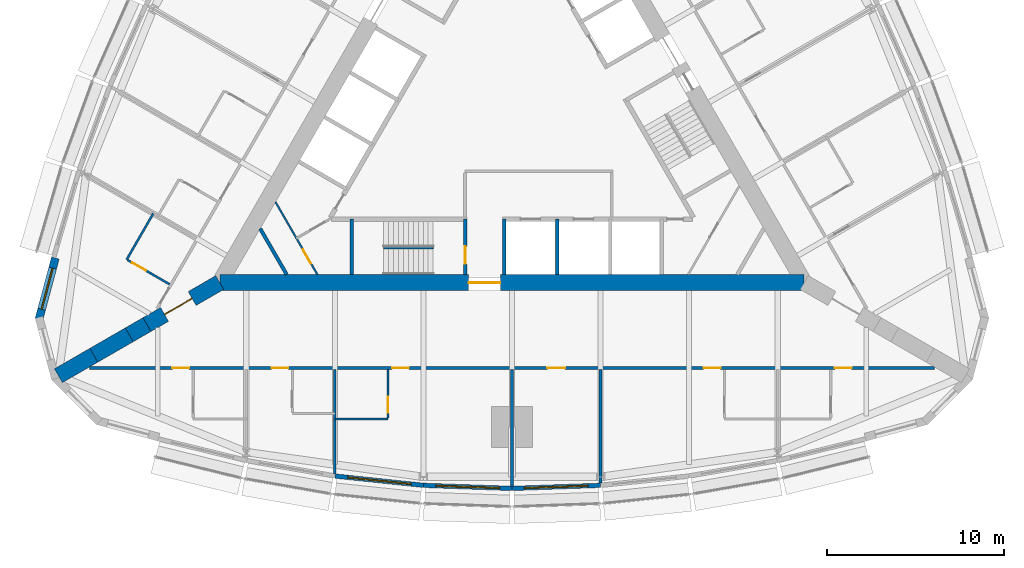
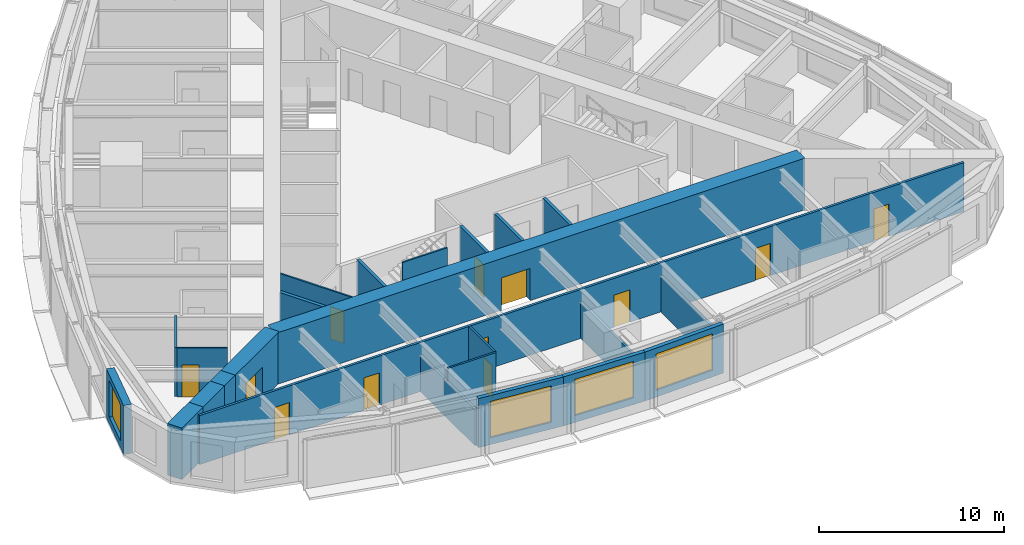
# One storey, part 8 of 14: 24 walls, 12 doors, 4 windows, 16 openings.
"""IFC4 building model written with IfcOpenShell, lengths in metres."""

import ifcopenshell
import ifcopenshell.guid

model = None  # the IFC model being written
_history = None  # IfcOwnerHistory: only IFC2X3 demands one
_inside = {}  # id of a spatial element -> (the spatial element, [elements in it])
_under = {}  # id of a project, library or spatial element -> (it, [spatial elements below it])
_declared = {}  # id of a project -> (the project, [libraries it declares])
_typed = {}  # id of a type object -> (the type object, [elements of that type])
_made_of = {}  # id of a material, layer set ... -> (it, [elements and type objects made of it])


def new_model(schema):
    """Start an empty IFC model of exactly this schema.

    Asked for "IFC4X3", IfcOpenShell would pick the latest addendum, in which some entities
    have other attributes; the version numbers below select the first issue.
    IFC2X3 requires an IfcOwnerHistory on every rooted entity: one is made here for all.
    """
    global model, _history
    if schema == "IFC4X3":
        model = ifcopenshell.file(schema_version=(4, 3, 0, 0))
    else:
        model = ifcopenshell.file(schema=schema)
    _inside.clear()
    _under.clear()
    _declared.clear()
    _typed.clear()
    _made_of.clear()
    _history = None
    if model.schema == "IFC2X3":
        org = make("IfcOrganization", Name="unknown")
        user = make(
            "IfcPersonAndOrganization",
            ThePerson=make("IfcPerson", FamilyName="unknown"),
            TheOrganization=org,
        )
        app = make(
            "IfcApplication",
            ApplicationDeveloper=org,
            Version="unknown",
            ApplicationFullName="unknown",
            ApplicationIdentifier="unknown",
        )
        _history = make(
            "IfcOwnerHistory",
            OwningUser=user,
            OwningApplication=app,
            ChangeAction="ADDED",
            CreationDate=0,
        )
    return model


def make(cls, **values):
    """One entity of the class cls with the attributes given. An attribute that is None is left unset."""
    return model.create_entity(
        cls, **{name: value for name, value in values.items() if value is not None}
    )


def rooted(cls, **values):
    """An entity with a GlobalId (a new one), such as an element, a storey or a relation."""
    return make(cls, GlobalId=ifcopenshell.guid.new(), OwnerHistory=_history, **values)


def si_unit(unit_type, name, prefix=None):
    """IfcSIUnit, for example si_unit("LENGTHUNIT", "METRE", prefix="MILLI")."""
    return make("IfcSIUnit", UnitType=unit_type, Prefix=prefix, Name=name)


def assignment(units):
    """IfcUnitAssignment: the units of a project."""
    return None if units is None else make("IfcUnitAssignment", Units=units)


def point(xyz):
    """IfcCartesianPoint."""
    return None if xyz is None else make("IfcCartesianPoint", Coordinates=xyz)


def direction(xyz):
    """IfcDirection."""
    return None if xyz is None else make("IfcDirection", DirectionRatios=xyz)


def frame(location, z_axis=None, x_axis=None):
    """IfcAxis2Placement3D, a coordinate frame: its origin and axes. An axis left out is left unset."""
    return make(
        "IfcAxis2Placement3D",
        Location=point(location),
        Axis=direction(z_axis),
        RefDirection=direction(x_axis),
    )


def frame_2d(location, x_axis=None):
    """IfcAxis2Placement2D, a coordinate frame in the plane: its origin and x axis."""
    return make(
        "IfcAxis2Placement2D", Location=point(location), RefDirection=direction(x_axis)
    )


def origin():
    """The frame at (0, 0, 0) with its axes left unset."""
    return frame((0.0, 0.0, 0.0))


def place(relative_to, where):
    """IfcLocalPlacement: puts the frame where relative to a parent placement (None: the world)."""
    return make(
        "IfcLocalPlacement", PlacementRelTo=relative_to, RelativePlacement=where
    )


def context(
    kind, dimensions, precision=None, world=None, true_north=None, identifier=None
):
    """IfcGeometricRepresentationContext, for example the 3D "Model" context."""
    return make(
        "IfcGeometricRepresentationContext",
        ContextIdentifier=identifier,
        ContextType=kind,
        CoordinateSpaceDimension=dimensions,
        Precision=precision,
        WorldCoordinateSystem=world,
        TrueNorth=true_north,
    )


def subcontext(parent, identifier, kind, view, scale=None):
    """IfcGeometricRepresentationSubContext, for example "Body" below "Model"."""
    return make(
        "IfcGeometricRepresentationSubContext",
        ContextIdentifier=identifier,
        ContextType=kind,
        ParentContext=parent,
        TargetScale=scale,
        TargetView=view,
    )


def project(units=None, contexts=None):
    """IfcProject with its units and contexts."""
    return rooted(
        "IfcProject",
        Name="project",
        RepresentationContexts=contexts,
        UnitsInContext=assignment(units),
    )


def spatial(cls, under=None, at=None, **own):
    """A site, building, storey or space (cls), placed at a placement, below another one or the project."""
    s = rooted(cls, ObjectPlacement=at, **own)
    if under is not None:
        _under.setdefault(under.id(), (under, []))[1].append(s)
    return s


def profile(cls, at=None, kind="AREA", **sizes):
    """A parametric profile (cls). Its sizes go by their IFC names, for example OverallWidth=200.0."""
    return make(cls, ProfileType=kind, Position=at, **sizes)


def rectangle(**sizes):
    """IfcRectangleProfileDef."""
    return profile("IfcRectangleProfileDef", **sizes)


def extrude(swept, where, along, depth):
    """IfcExtrudedAreaSolid: the profile swept, set in the frame where, extruded along a direction by depth."""
    return make(
        "IfcExtrudedAreaSolid",
        SweptArea=swept,
        Position=where,
        ExtrudedDirection=direction(along),
        Depth=depth,
    )


def shape(context_of_items, identifier, shape_type, items):
    """IfcShapeRepresentation: the items that make up one representation, for example the "Body"."""
    return make(
        "IfcShapeRepresentation",
        ContextOfItems=context_of_items,
        RepresentationIdentifier=identifier,
        RepresentationType=shape_type,
        Items=items,
    )


def material(Name=None, Category=None):
    """IfcMaterial."""
    return make("IfcMaterial", Name=Name, Category=Category)


def layer(
    of_material, thickness, ventilated=None, Name=None, Category=None, Priority=None
):
    """IfcMaterialLayer: one layer of a wall or slab, of a material (None: an air gap)."""
    return make(
        "IfcMaterialLayer",
        Material=of_material,
        LayerThickness=thickness,
        IsVentilated=ventilated,
        Name=Name,
        Category=Category,
        Priority=Priority,
    )


def layer_set(layers, Name=None):
    """IfcMaterialLayerSet."""
    return make("IfcMaterialLayerSet", MaterialLayers=layers, LayerSetName=Name)


def made_of(thing, what):
    """Note that an element or type object is made of a material, layer set ...; save() writes the relation."""
    if what is not None:
        _made_of.setdefault(what.id(), (what, []))[1].append(thing)
    return thing


def type_object(cls, material=None, **own):
    """A type object (cls), such as IfcWallType, which elements share."""
    return made_of(rooted(cls, **own), material)


def element(
    cls,
    number,
    at=None,
    inside=None,
    cuts=None,
    type_object=None,
    material=None,
    context=None,
    identifier="Body",
    shape_type=None,
    held_by="IfcProductDefinitionShape",
    body=None,
    shapes=None,
    **own,
):
    """One element of the class cls, such as IfcWall. Its Tag is "e" and its number.

    at: its placement. inside: the storey or other place that contains it. cuts: it is an
    opening in that element (IfcRelVoidsElement). A single representation is given by context,
    identifier, shape_type and body (its items); several are given by shapes. held_by: the class
    of the entity that holds the representations. save() writes the other relations.
    """
    e = rooted(cls, Tag="e%d" % number, ObjectPlacement=at, **own)
    if body is not None:
        shapes = [shape(context, identifier, shape_type, body)]
    if shapes is not None:
        e.Representation = make(held_by, Representations=shapes)
    if inside is not None:
        _inside.setdefault(inside.id(), (inside, []))[1].append(e)
    if cuts is not None:
        rooted(
            "IfcRelVoidsElement", RelatingBuildingElement=cuts, RelatedOpeningElement=e
        )
    if type_object is not None:
        _typed.setdefault(type_object.id(), (type_object, []))[1].append(e)
    return made_of(e, material)


def fill(opening, filler):
    """IfcRelFillsElement: the door or window that sits in an opening."""
    return rooted(
        "IfcRelFillsElement",
        RelatingOpeningElement=opening,
        RelatedBuildingElement=filler,
    )


def aggregate(whole, parts):
    """IfcRelAggregates: a whole, such as a stair, and the parts it consists of."""
    return rooted("IfcRelAggregates", RelatingObject=whole, RelatedObjects=parts)


def save(model, path):
    """Write the relations noted so far, then the file.

    IfcRelAggregates (storeys below a building ...), IfcRelContainedInSpatialStructure (elements
    in a storey), IfcRelDefinesByType, IfcRelAssociatesMaterial and IfcRelDeclares: one each for
    every whole, place, type object, material and project.
    """
    for whole, parts in _under.values():
        aggregate(whole, parts)
    for where, things in _inside.values():
        rooted(
            "IfcRelContainedInSpatialStructure",
            RelatedElements=things,
            RelatingStructure=where,
        )
    for kind, things in _typed.values():
        rooted("IfcRelDefinesByType", RelatedObjects=things, RelatingType=kind)
    for what, things in _made_of.values():
        rooted("IfcRelAssociatesMaterial", RelatedObjects=things, RelatingMaterial=what)
    for by, libraries in _declared.values():
        rooted("IfcRelDeclares", RelatingContext=by, RelatedDefinitions=libraries)
    model.write(path)


model = new_model("IFC4")

# Units and contexts
model_context = context("Model", 3, precision=1e-05, world=origin(), true_north=direction((0.0, 1.0)))
body_context = subcontext(model_context, "Body", "Model", "MODEL_VIEW")
ifc_project = project(units=[si_unit("LENGTHUNIT", "METRE"), si_unit("AREAUNIT", "SQUARE_METRE"), si_unit("VOLUMEUNIT", "CUBIC_METRE"), si_unit("PLANEANGLEUNIT", "RADIAN"), si_unit("MASSUNIT", "GRAM", prefix="KILO")], contexts=[model_context])

# Site, building, storey
site_placement = place(None, origin())
site = spatial("IfcSite", under=ifc_project, at=site_placement, CompositionType="ELEMENT")
building_placement = place(site_placement, origin())
building = spatial("IfcBuilding", under=site, at=building_placement, Name="Trikona Tower", CompositionType="ELEMENT")
storey_placement = place(building_placement, frame((0.0, 0.0, 179.300048828125)))
storey = spatial("IfcBuildingStorey", under=building, at=storey_placement, Name="L48", CompositionType="ELEMENT", Elevation=179.300048828125)

# Wall
ifc_material_1 = material(Name="Metal stud and cement board", Category="gypsum")
ifc_layer_1 = layer(ifc_material_1, 0.1201171875)
ifc_layer_set_1 = layer_set([ifc_layer_1], Name="Bathroom wall 120")
wall_type_1 = type_object("IfcWallType", Name="Bathroom wall 120", PredefinedType="PLUMBINGWALL", material=ifc_layer_set_1)
wall_1_placement = place(storey_placement, frame((-10.0, -17.226318359375, 0.0), z_axis=(0.0, 0.0, 1.0), x_axis=(1.0, 0.0, 0.0)))
element("IfcWall", 1, at=wall_1_placement, inside=storey, type_object=wall_type_1, Name="Bathroom wall 4803", PredefinedType="PLUMBINGWALL", context=body_context, shape_type="SweptSolid", body=[
    extrude(rectangle(XDim=3.0, YDim=0.1201171875, at=frame_2d((1.5, 0.0))), origin(), (0.0, 0.0, 1.0), 3.23486328125),
])

# Wall, opening, door
wall_2_placement = place(storey_placement, frame((-7.0, -14.42626953125, 0.0), z_axis=(0.0, 0.0, 1.0), x_axis=(0.0, -1.0, 0.0)))
wall_2 = element("IfcWall", 2, at=wall_2_placement, inside=storey, type_object=wall_type_1, Name="Bathroom wall 4803", PredefinedType="PLUMBINGWALL", context=body_context, shape_type="SweptSolid", body=[
    extrude(rectangle(XDim=2.739990234375, YDim=0.1201171875, at=frame_2d((1.3701171875, 0.0))), origin(), (0.0, 0.0, 1.0), 3.23486328125),
])
opening_1_placement = place(wall_2_placement, frame((1.550048828125, 0.0, 0.0)))
opening_1 = element("IfcOpeningElement", 3, at=opening_1_placement, cuts=wall_2, Name="Opening D2", PredefinedType="OPENING", context=body_context, shape_type="SweptSolid", body=[
    extrude(rectangle(XDim=0.89990234375, YDim=2.1298828125, at=frame_2d((0.449951171875, 1.06494140625))), frame((0.0, 0.070068359375, 0.0), z_axis=(0.0, -1.0, 0.0), x_axis=(1.0, 0.0, 0.0)), (0.0, 0.0, 1.0), 0.14013671875),
])
ifc_material_2 = material(Name="Steel door frame with solid-core timber leaf", Category="steel")
door_type_1 = type_object("IfcDoorType", Name="Bathroom door 900x2130", OperationType="SLIDING_TO_LEFT", PredefinedType="DOOR", material=ifc_material_2)
door_1_placement = place(opening_1_placement, origin())
door_1 = element("IfcDoor", 4, at=door_1_placement, inside=storey, type_object=door_type_1, Name="Bathroom door 4803", OperationType="SLIDING_TO_LEFT", OverallHeight=2.1298828125, OverallWidth=0.89990234375, PredefinedType="DOOR", context=body_context, shape_type="SweptSolid", body=[
    extrude(rectangle(XDim=0.89990234375, YDim=2.1298828125, at=frame_2d((0.449951171875, 1.06494140625))), frame((0.0, 0.02490234375, 0.0), z_axis=(0.0, -1.0, 0.0), x_axis=(1.0, 0.0, 0.0)), (0.0, 0.0, 1.0), 0.050048828125),
])
fill(opening_1, door_1)

# Wall
wall_3_placement = place(storey_placement, frame((-20.25341796875, -5.627197265625, 0.0), z_axis=(0.0, 0.0, 1.0), x_axis=(-0.499990139034, -0.866031096941, 0.0)))
element("IfcWall", 5, at=wall_3_placement, inside=storey, type_object=wall_type_1, Name="Bathroom wall 4815", PredefinedType="PLUMBINGWALL", context=body_context, shape_type="SweptSolid", body=[
    extrude(rectangle(XDim=3.0, YDim=0.1201171875, at=frame_2d((1.5, 0.0))), origin(), (0.0, 0.0, 1.0), 3.23486328125),
])

# Wall, opening, door
wall_4_placement = place(storey_placement, frame((-19.32861328125, -9.625244140625, 0.0), z_axis=(0.0, 0.0, 1.0), x_axis=(-0.866035715982, 0.499982138324, 0.0)))
wall_4 = element("IfcWall", 6, at=wall_4_placement, inside=storey, type_object=wall_type_1, Name="Bathroom wall 4815", PredefinedType="PLUMBINGWALL", context=body_context, shape_type="SweptSolid", body=[
    extrude(rectangle(XDim=2.73974609375, YDim=0.1201171875, at=frame_2d((1.369873046875, 0.0))), origin(), (0.0, 0.0, 1.0), 3.23486328125),
])
opening_2_placement = place(wall_4_placement, frame((1.550048828125, 0.0, 0.0)))
opening_2 = element("IfcOpeningElement", 7, at=opening_2_placement, cuts=wall_4, Name="Opening D2", PredefinedType="OPENING", context=body_context, shape_type="SweptSolid", body=[
    extrude(rectangle(XDim=0.89990234375, YDim=2.1298828125, at=frame_2d((0.449951171875, 1.06494140625))), frame((0.0, 0.070068359375, 0.0), z_axis=(0.0, -1.0, 0.0), x_axis=(1.0, 0.0, 0.0)), (0.0, 0.0, 1.0), 0.14013671875),
])
door_2_placement = place(opening_2_placement, origin())
door_2 = element("IfcDoor", 8, at=door_2_placement, inside=storey, type_object=door_type_1, Name="Bathroom door 4815", OperationType="SLIDING_TO_LEFT", OverallHeight=2.1298828125, OverallWidth=0.89990234375, PredefinedType="DOOR", context=body_context, shape_type="SweptSolid", body=[
    extrude(rectangle(XDim=0.89990234375, YDim=2.1298828125, at=frame_2d((0.449951171875, 1.06494140625))), frame((0.0, 0.02490234375, 0.0), z_axis=(0.0, -1.0, 0.0), x_axis=(1.0, 0.0, 0.0)), (0.0, 0.0, 1.0), 0.050048828125),
])
fill(opening_2, door_2)

# Wall, opening, window
ifc_material_3 = material(Name="Brick-faced precast concrete", Category="masonry")
ifc_layer_2 = layer(ifc_material_3, 0.449951171875)
ifc_layer_set_2 = layer_set([ifc_layer_2], Name="Brick-faced corner wall 450")
wall_type_2 = type_object("IfcWallType", Name="Brick-faced corner wall 450", PredefinedType="SOLIDWALL", material=ifc_layer_set_2)
wall_5_placement = place(storey_placement, frame((-25.78271484375, -8.14111328125, 0.0), z_axis=(0.0, 0.0, 1.0), x_axis=(-0.258823421857, -0.965924653531, 0.0)))
wall_5 = element("IfcWall", 9, at=wall_5_placement, inside=storey, type_object=wall_type_2, Name="External wall L48-32", PredefinedType="SOLIDWALL", context=body_context, shape_type="SweptSolid", body=[
    extrude(rectangle(XDim=3.58642578125, YDim=0.449951171875, at=frame_2d((1.793212890625, 0.0))), origin(), (0.0, 0.0, 1.0), 3.23486328125),
])
opening_3_placement = place(wall_5_placement, frame((0.593017578125, 0.0, 0.449951171875)))
opening_3 = element("IfcOpeningElement", 10, at=opening_3_placement, cuts=wall_5, Name="Opening W2424", PredefinedType="OPENING", context=body_context, shape_type="SweptSolid", body=[
    extrude(rectangle(XDim=2.39990234375, YDim=2.39990234375, at=frame_2d((1.199951171875, 1.199951171875))), frame((0.0, 0.23486328125, 0.0), z_axis=(0.0, -1.0, 0.0), x_axis=(1.0, 0.0, 0.0)), (0.0, 0.0, 1.0), 0.469970703125),
])
ifc_material_4 = material(Name="Aluminium-framed double glazing", Category="aluminium")
window_type_1 = type_object("IfcWindowType", Name="Window 2400x2400", PartitioningType="SINGLE_PANEL", PredefinedType="WINDOW", material=ifc_material_4)
window_1_placement = place(opening_3_placement, origin())
window_1 = element("IfcWindow", 11, at=window_1_placement, inside=storey, type_object=window_type_1, Name="Window 4815", OverallHeight=2.39990234375, OverallWidth=2.39990234375, PartitioningType="SINGLE_PANEL", PredefinedType="WINDOW", context=body_context, shape_type="SweptSolid", body=[
    extrude(rectangle(XDim=2.39990234375, YDim=2.39990234375, at=frame_2d((1.199951171875, 1.199951171875))), frame((0.0, 0.030029296875, 0.0), z_axis=(0.0, -1.0, 0.0), x_axis=(1.0, 0.0, 0.0)), (0.0, 0.0, 1.0), 0.06005859375),
])
fill(opening_3, window_1)

# Wall, opening, door
ifc_material_5 = material(Name="Concrete f'c 10000 psi", Category="concrete")
ifc_layer_3 = layer(ifc_material_5, 0.89990234375)
ifc_layer_set_3 = layer_set([ifc_layer_3], Name="Buttress wall 900")
wall_type_3 = type_object("IfcWallType", Name="Buttress wall 900", PredefinedType="SHEAR", material=ifc_layer_set_3)
wall_6_placement = place(storey_placement, frame((-16.5, -9.5263671875, 0.0), z_axis=(0.0, 0.0, 1.0), x_axis=(-0.866031398331, -0.499989616998, 0.0)))
wall_6 = element("IfcWall", 12, at=wall_6_placement, inside=storey, type_object=wall_type_3, Name="Buttress wall 3", PredefinedType="SHEAR", context=body_context, shape_type="SweptSolid", body=[
    extrude(rectangle(XDim=4.74609375, YDim=0.89990234375, at=frame_2d((2.373046875, 0.0))), origin(), (0.0, 0.0, 1.0), 3.39990234375),
])
opening_4_placement = place(wall_6_placement, frame((1.800048828125, 0.0, 0.0)))
opening_4 = element("IfcOpeningElement", 13, at=opening_4_placement, cuts=wall_6, Name="Opening D10", PredefinedType="OPENING", context=body_context, shape_type="SweptSolid", body=[
    extrude(rectangle(XDim=1.800048828125, YDim=2.1298828125, at=frame_2d((0.89990234375, 1.06494140625))), frame((0.0, 0.4599609375, 0.0), z_axis=(0.0, -1.0, 0.0), x_axis=(1.0, 0.0, 0.0)), (0.0, 0.0, 1.0), 0.919921875),
])
ifc_material_6 = material(Name="Hollow metal door and frame", Category="steel")
door_type_2 = type_object("IfcDoorType", Name="Cross-corridor door pair 1800x2130", OperationType="DOUBLE_DOOR_DOUBLE_SWING", PredefinedType="DOOR", material=ifc_material_6)
door_3_placement = place(opening_4_placement, origin())
door_3 = element("IfcDoor", 14, at=door_3_placement, inside=storey, type_object=door_type_2, Name="Cross-corridor door 3", OperationType="DOUBLE_DOOR_DOUBLE_SWING", OverallHeight=2.1298828125, OverallWidth=1.800048828125, PredefinedType="DOOR", context=body_context, shape_type="SweptSolid", body=[
    extrude(rectangle(XDim=1.800048828125, YDim=2.1298828125, at=frame_2d((0.89990234375, 1.06494140625))), frame((0.0, 0.02490234375, 0.0), z_axis=(0.0, -1.0, 0.0), x_axis=(1.0, 0.0, 0.0)), (0.0, 0.0, 1.0), 0.050048828125),
])
fill(opening_4, door_3)

# Walls
wall_7_placement = place(storey_placement, frame((-20.6103515625, -11.8994140625, 0.0), z_axis=(0.0, 0.0, 1.0), x_axis=(-0.866009537788, -0.500027479704, 0.0)))
element("IfcWall", 15, at=wall_7_placement, inside=storey, type_object=wall_type_3, Name="Buttress wall 3 part 2", PredefinedType="SHEAR", context=body_context, shape_type="SweptSolid", body=[
    extrude(rectangle(XDim=1.15478515625, YDim=0.89990234375, at=frame_2d((0.577392578125, 0.0))), origin(), (0.0, 0.0, 1.0), 3.39990234375),
])
for number, where, z_axis, x_axis, name in (
    (16, (-21.6103515625, -12.476806640625, 0.0), (0.0, 0.0, 1.0), (-0.866055313784, -0.499948190782, 0.0), "Buttress wall 3 part 3"),
    (17, (-23.6103515625, -13.63134765625, 0.0), (0.0, 0.0, 1.0), (-0.866009537788, -0.500027479704, 0.0), "Buttress wall 3 part 4"),
):
    element("IfcWall", number, at=place(storey_placement, frame(where, z_axis=z_axis, x_axis=x_axis)), inside=storey, type_object=wall_type_3, Name=name, PredefinedType="SHEAR", context=body_context, shape_type="SweptSolid", body=[
        extrude(rectangle(XDim=2.309326171875, YDim=0.89990234375, at=frame_2d((1.15478515625, 0.0))), origin(), (0.0, 0.0, 1.0), 3.39990234375),
    ])

# Wall, opening, door
ifc_material_7 = material(Name="Concrete f'c 10000 psi", Category="concrete")
ifc_layer_4 = layer(ifc_material_7, 0.89990234375)
ifc_layer_set_4 = layer_set([ifc_layer_4], Name="Core wall 900")
wall_type_4 = type_object("IfcWallType", Name="Core wall 900", PredefinedType="SHEAR", material=ifc_layer_set_4)
wall_8_placement = place(storey_placement, frame((-16.5, -9.5263671875, 0.0), z_axis=(0.0, 0.0, 1.0), x_axis=(1.0, 0.0, 0.0)))
wall_8 = element("IfcWall", 18, at=wall_8_placement, inside=storey, type_object=wall_type_4, Name="Core wall A", PredefinedType="SHEAR", context=body_context, shape_type="SweptSolid", body=[
    extrude(rectangle(XDim=33.0, YDim=0.89990234375, at=frame_2d((16.5, 0.0))), origin(), (0.0, 0.0, 1.0), 3.39990234375),
])
opening_5_placement = place(wall_8_placement, frame((14.050048828125, 0.0, 0.0)))
opening_5 = element("IfcOpeningElement", 19, at=opening_5_placement, cuts=wall_8, Name="Opening D6", PredefinedType="OPENING", context=body_context, shape_type="SweptSolid", body=[
    extrude(rectangle(XDim=1.800048828125, YDim=2.1298828125, at=frame_2d((0.89990234375, 1.06494140625))), frame((0.0, 0.4599609375, 0.0), z_axis=(0.0, -1.0, 0.0), x_axis=(1.0, 0.0, 0.0)), (0.0, 0.0, 1.0), 0.919921875),
])
ifc_material_8 = material(Name="Hollow metal door and frame", Category="steel")
door_type_3 = type_object("IfcDoorType", Name="Lobby door pair 1800x2130", OperationType="DOUBLE_DOOR_SINGLE_SWING", PredefinedType="DOOR", material=ifc_material_8)
door_4_placement = place(opening_5_placement, origin())
door_4 = element("IfcDoor", 20, at=door_4_placement, inside=storey, type_object=door_type_3, Name="Fire service lift lobby door", OperationType="DOUBLE_DOOR_SINGLE_SWING", OverallHeight=2.1298828125, OverallWidth=1.800048828125, PredefinedType="DOOR", context=body_context, shape_type="SweptSolid", body=[
    extrude(rectangle(XDim=1.800048828125, YDim=2.1298828125, at=frame_2d((0.89990234375, 1.06494140625))), frame((0.0, 0.02490234375, 0.0), z_axis=(0.0, -1.0, 0.0), x_axis=(1.0, 0.0, 0.0)), (0.0, 0.0, 1.0), 0.050048828125),
])
fill(opening_5, door_4)

# Wall, openings, doors
ifc_material_9 = material(Name="Metal stud and gypsum board, 1-hour", Category="gypsum")
ifc_layer_5 = layer(ifc_material_9, 0.14990234375)
ifc_layer_set_5 = layer_set([ifc_layer_5], Name="Corridor wall 150")
wall_type_5 = type_object("IfcWallType", Name="Corridor wall 150", PredefinedType="PARTITIONING", material=ifc_layer_set_5)
wall_9_placement = place(storey_placement, frame((-23.857177734375, -14.351318359375, 0.0), z_axis=(0.0, 0.0, 1.0), x_axis=(1.0, 0.0, 0.0)))
wall_9 = element("IfcWall", 21, at=wall_9_placement, inside=storey, type_object=wall_type_5, Name="Corridor wall L48-1", PredefinedType="PARTITIONING", context=body_context, shape_type="SweptSolid", body=[
    extrude(rectangle(XDim=47.71435546875, YDim=0.14990234375, at=frame_2d((23.857177734375, 0.0))), origin(), (0.0, 0.0, 1.0), 3.23486328125),
])
opening_6_placement = place(wall_9_placement, frame((4.68212890625, 0.0, 0.0)))
opening_6 = element("IfcOpeningElement", 22, at=opening_6_placement, cuts=wall_9, Name="Opening D1", PredefinedType="OPENING", context=body_context, shape_type="SweptSolid", body=[
    extrude(rectangle(XDim=0.949951171875, YDim=2.1298828125, at=frame_2d((0.47509765625, 1.06494140625))), frame((0.0, 0.0849609375, 0.0), z_axis=(0.0, -1.0, 0.0), x_axis=(1.0, 0.0, 0.0)), (0.0, 0.0, 1.0), 0.169921875),
])
opening_7_placement = place(wall_9_placement, frame((10.281982421875, 0.0, 0.0)))
opening_7 = element("IfcOpeningElement", 23, at=opening_7_placement, cuts=wall_9, Name="Opening D1", PredefinedType="OPENING", context=body_context, shape_type="SweptSolid", body=[
    extrude(rectangle(XDim=0.949951171875, YDim=2.1298828125, at=frame_2d((0.47509765625, 1.06494140625))), frame((0.0, 0.0849609375, 0.0), z_axis=(0.0, -1.0, 0.0), x_axis=(1.0, 0.0, 0.0)), (0.0, 0.0, 1.0), 0.169921875),
])
opening_8_placement = place(wall_9_placement, frame((17.08203125, 0.0, 0.0)))
opening_8 = element("IfcOpeningElement", 24, at=opening_8_placement, cuts=wall_9, Name="Opening D1", PredefinedType="OPENING", context=body_context, shape_type="SweptSolid", body=[
    extrude(rectangle(XDim=0.949951171875, YDim=2.1298828125, at=frame_2d((0.47509765625, 1.06494140625))), frame((0.0, 0.0849609375, 0.0), z_axis=(0.0, -1.0, 0.0), x_axis=(1.0, 0.0, 0.0)), (0.0, 0.0, 1.0), 0.169921875),
])
opening_9_placement = place(wall_9_placement, frame((25.857177734375, 0.0, 0.0)))
opening_9 = element("IfcOpeningElement", 25, at=opening_9_placement, cuts=wall_9, Name="Opening D3", PredefinedType="OPENING", context=body_context, shape_type="SweptSolid", body=[
    extrude(rectangle(XDim=1.0, YDim=2.1298828125, at=frame_2d((0.5, 1.06494140625))), frame((0.0, 0.0849609375, 0.0), z_axis=(0.0, -1.0, 0.0), x_axis=(1.0, 0.0, 0.0)), (0.0, 0.0, 1.0), 0.169921875),
])
opening_10_placement = place(wall_9_placement, frame((34.68212890625, 0.0, 0.0)))
opening_10 = element("IfcOpeningElement", 26, at=opening_10_placement, cuts=wall_9, Name="Opening D1", PredefinedType="OPENING", context=body_context, shape_type="SweptSolid", body=[
    extrude(rectangle(XDim=0.949951171875, YDim=2.1298828125, at=frame_2d((0.47509765625, 1.06494140625))), frame((0.0, 0.0849609375, 0.0), z_axis=(0.0, -1.0, 0.0), x_axis=(1.0, 0.0, 0.0)), (0.0, 0.0, 1.0), 0.169921875),
])
opening_11_placement = place(wall_9_placement, frame((42.08203125, 0.0, 0.0)))
opening_11 = element("IfcOpeningElement", 27, at=opening_11_placement, cuts=wall_9, Name="Opening D1", PredefinedType="OPENING", context=body_context, shape_type="SweptSolid", body=[
    extrude(rectangle(XDim=0.949951171875, YDim=2.1298828125, at=frame_2d((0.47509765625, 1.06494140625))), frame((0.0, 0.0849609375, 0.0), z_axis=(0.0, -1.0, 0.0), x_axis=(1.0, 0.0, 0.0)), (0.0, 0.0, 1.0), 0.169921875),
])
ifc_material_10 = material(Name="Steel door frame with solid-core timber leaf", Category="steel")
door_type_4 = type_object("IfcDoorType", Name="Guest room door 950x2130", OperationType="SINGLE_SWING_LEFT", PredefinedType="DOOR", material=ifc_material_10)
door_5_placement = place(opening_6_placement, origin())
door_5 = element("IfcDoor", 28, at=door_5_placement, inside=storey, type_object=door_type_4, Name="Room door 4801", OperationType="SINGLE_SWING_LEFT", OverallHeight=2.1298828125, OverallWidth=0.949951171875, PredefinedType="DOOR", context=body_context, shape_type="SweptSolid", body=[
    extrude(rectangle(XDim=0.949951171875, YDim=2.1298828125, at=frame_2d((0.47509765625, 1.06494140625))), frame((0.0, 0.02490234375, 0.0), z_axis=(0.0, -1.0, 0.0), x_axis=(1.0, 0.0, 0.0)), (0.0, 0.0, 1.0), 0.050048828125),
])
fill(opening_6, door_5)
door_6_placement = place(opening_7_placement, origin())
door_6 = element("IfcDoor", 29, at=door_6_placement, inside=storey, type_object=door_type_4, Name="Room door 4802", OperationType="SINGLE_SWING_RIGHT", OverallHeight=2.1298828125, OverallWidth=0.949951171875, PredefinedType="DOOR", context=body_context, shape_type="SweptSolid", body=[
    extrude(rectangle(XDim=0.949951171875, YDim=2.1298828125, at=frame_2d((0.47509765625, 1.06494140625))), frame((0.0, 0.02490234375, 0.0), z_axis=(0.0, -1.0, 0.0), x_axis=(1.0, 0.0, 0.0)), (0.0, 0.0, 1.0), 0.050048828125),
])
fill(opening_7, door_6)
door_7_placement = place(opening_8_placement, origin())
door_7 = element("IfcDoor", 30, at=door_7_placement, inside=storey, type_object=door_type_4, Name="Room door 4803", OperationType="SINGLE_SWING_LEFT", OverallHeight=2.1298828125, OverallWidth=0.949951171875, PredefinedType="DOOR", context=body_context, shape_type="SweptSolid", body=[
    extrude(rectangle(XDim=0.949951171875, YDim=2.1298828125, at=frame_2d((0.47509765625, 1.06494140625))), frame((0.0, 0.02490234375, 0.0), z_axis=(0.0, -1.0, 0.0), x_axis=(1.0, 0.0, 0.0)), (0.0, 0.0, 1.0), 0.050048828125),
])
fill(opening_8, door_7)
door_8_placement = place(opening_10_placement, origin())
door_8 = element("IfcDoor", 31, at=door_8_placement, inside=storey, type_object=door_type_4, Name="Room door 4804", OperationType="SINGLE_SWING_LEFT", OverallHeight=2.1298828125, OverallWidth=0.949951171875, PredefinedType="DOOR", context=body_context, shape_type="SweptSolid", body=[
    extrude(rectangle(XDim=0.949951171875, YDim=2.1298828125, at=frame_2d((0.47509765625, 1.06494140625))), frame((0.0, 0.02490234375, 0.0), z_axis=(0.0, -1.0, 0.0), x_axis=(1.0, 0.0, 0.0)), (0.0, 0.0, 1.0), 0.050048828125),
])
fill(opening_10, door_8)
door_9_placement = place(opening_11_placement, origin())
door_9 = element("IfcDoor", 32, at=door_9_placement, inside=storey, type_object=door_type_4, Name="Room door 4805", OperationType="SINGLE_SWING_RIGHT", OverallHeight=2.1298828125, OverallWidth=0.949951171875, PredefinedType="DOOR", context=body_context, shape_type="SweptSolid", body=[
    extrude(rectangle(XDim=0.949951171875, YDim=2.1298828125, at=frame_2d((0.47509765625, 1.06494140625))), frame((0.0, 0.02490234375, 0.0), z_axis=(0.0, -1.0, 0.0), x_axis=(1.0, 0.0, 0.0)), (0.0, 0.0, 1.0), 0.050048828125),
])
fill(opening_11, door_9)
ifc_material_11 = material(Name="Steel door frame with solid-core timber leaf", Category="steel")
door_type_5 = type_object("IfcDoorType", Name="Room door 1000x2130", OperationType="SINGLE_SWING_LEFT", PredefinedType="DOOR", material=ifc_material_11)
door_10_placement = place(opening_9_placement, origin())
door_10 = element("IfcDoor", 33, at=door_10_placement, inside=storey, type_object=door_type_5, Name="Door Housekeeping pantry", OperationType="SINGLE_SWING_RIGHT", OverallHeight=2.1298828125, OverallWidth=1.0, PredefinedType="DOOR", context=body_context, shape_type="SweptSolid", body=[
    extrude(rectangle(XDim=1.0, YDim=2.1298828125, at=frame_2d((0.5, 1.06494140625))), frame((0.0, 0.02490234375, 0.0), z_axis=(0.0, -1.0, 0.0), x_axis=(1.0, 0.0, 0.0)), (0.0, 0.0, 1.0), 0.050048828125),
])
fill(opening_9, door_10)

# Wall, opening, window
ifc_material_12 = material(Name="Insulated precast concrete spandrel panel", Category="concrete")
ifc_layer_6 = layer(ifc_material_12, 0.25)
ifc_layer_set_6 = layer_set([ifc_layer_6], Name="Inner skin wall 250")
wall_type_6 = type_object("IfcWallType", Name="Inner skin wall 250", PredefinedType="STANDARD", material=ifc_layer_set_6)
wall_10_placement = place(storey_placement, frame((-9.98681640625, -20.450927734375, 0.0), z_axis=(0.0, 0.0, 1.0), x_axis=(0.994534683851, -0.104406717299, 0.0)))
wall_10 = element("IfcWall", 34, at=wall_10_placement, inside=storey, type_object=wall_type_6, Name="External wall L48-02", PredefinedType="STANDARD", context=body_context, shape_type="SweptSolid", body=[
    extrude(rectangle(XDim=5.027587890625, YDim=0.25, at=frame_2d((2.513671875, 0.0))), origin(), (0.0, 0.0, 1.0), 3.23486328125),
])
opening_12_placement = place(wall_10_placement, frame((0.713623046875, 0.0, 0.449951171875)))
opening_12 = element("IfcOpeningElement", 35, at=opening_12_placement, cuts=wall_10, Name="Opening W3624", PredefinedType="OPENING", context=body_context, shape_type="SweptSolid", body=[
    extrude(rectangle(XDim=3.60009765625, YDim=2.39990234375, at=frame_2d((1.800048828125, 1.199951171875))), frame((0.0, 0.135009765625, 0.0), z_axis=(0.0, -1.0, 0.0), x_axis=(1.0, 0.0, 0.0)), (0.0, 0.0, 1.0), 0.27001953125),
])
ifc_material_13 = material(Name="Aluminium-framed double glazing", Category="aluminium")
window_type_2 = type_object("IfcWindowType", Name="Window 3600x2400", PartitioningType="SINGLE_PANEL", PredefinedType="WINDOW", material=ifc_material_13)
window_2_placement = place(opening_12_placement, origin())
window_2 = element("IfcWindow", 36, at=window_2_placement, inside=storey, type_object=window_type_2, Name="Window 4803", OverallHeight=2.39990234375, OverallWidth=3.60009765625, PartitioningType="SINGLE_PANEL", PredefinedType="WINDOW", context=body_context, shape_type="SweptSolid", body=[
    extrude(rectangle(XDim=3.60009765625, YDim=2.39990234375, at=frame_2d((1.800048828125, 1.199951171875))), frame((0.0, 0.030029296875, 0.0), z_axis=(0.0, -1.0, 0.0), x_axis=(1.0, 0.0, 0.0)), (0.0, 0.0, 1.0), 0.06005859375),
])
fill(opening_12, window_2)

wall_11_placement = place(storey_placement, frame((-4.99560546875, -20.975341796875, 0.0), z_axis=(0.0, 0.0, 1.0), x_axis=(0.999387720943, -0.034988329879, 0.0)))
wall_11 = element("IfcWall", 37, at=wall_11_placement, inside=storey, type_object=wall_type_6, Name="External wall L48-03", PredefinedType="STANDARD", context=body_context, shape_type="SweptSolid", body=[
    extrude(rectangle(XDim=5.003173828125, YDim=0.25, at=frame_2d((2.50146484375, 0.0))), origin(), (0.0, 0.0, 1.0), 3.23486328125),
])
opening_13_placement = place(wall_11_placement, frame((0.701416015625, 0.0, 0.449951171875)))
opening_13 = element("IfcOpeningElement", 38, at=opening_13_placement, cuts=wall_11, Name="Opening W3624", PredefinedType="OPENING", context=body_context, shape_type="SweptSolid", body=[
    extrude(rectangle(XDim=3.60009765625, YDim=2.39990234375, at=frame_2d((1.800048828125, 1.199951171875))), frame((0.0, 0.135009765625, 0.0), z_axis=(0.0, -1.0, 0.0), x_axis=(1.0, 0.0, 0.0)), (0.0, 0.0, 1.0), 0.27001953125),
])
window_3_placement = place(opening_13_placement, origin())
window_3 = element("IfcWindow", 39, at=window_3_placement, inside=storey, type_object=window_type_2, Name="Window 4803", OverallHeight=2.39990234375, OverallWidth=3.60009765625, PartitioningType="SINGLE_PANEL", PredefinedType="WINDOW", context=body_context, shape_type="SweptSolid", body=[
    extrude(rectangle(XDim=3.60009765625, YDim=2.39990234375, at=frame_2d((1.800048828125, 1.199951171875))), frame((0.0, 0.030029296875, 0.0), z_axis=(0.0, -1.0, 0.0), x_axis=(1.0, 0.0, 0.0)), (0.0, 0.0, 1.0), 0.06005859375),
])
fill(opening_13, window_3)

wall_12_placement = place(storey_placement, frame((-0.00439453125, -21.150390625, 0.0), z_axis=(0.0, 0.0, 1.0), x_axis=(0.999387720943, 0.034988329879, 0.0)))
wall_12 = element("IfcWall", 40, at=wall_12_placement, inside=storey, type_object=wall_type_6, Name="External wall L48-04", PredefinedType="STANDARD", context=body_context, shape_type="SweptSolid", body=[
    extrude(rectangle(XDim=5.003173828125, YDim=0.25, at=frame_2d((2.50146484375, 0.0))), origin(), (0.0, 0.0, 1.0), 3.23486328125),
])
opening_14_placement = place(wall_12_placement, frame((0.701416015625, 0.0, 0.449951171875)))
opening_14 = element("IfcOpeningElement", 41, at=opening_14_placement, cuts=wall_12, Name="Opening W3624", PredefinedType="OPENING", context=body_context, shape_type="SweptSolid", body=[
    extrude(rectangle(XDim=3.60009765625, YDim=2.39990234375, at=frame_2d((1.800048828125, 1.199951171875))), frame((0.0, 0.135009765625, 0.0), z_axis=(0.0, -1.0, 0.0), x_axis=(1.0, 0.0, 0.0)), (0.0, 0.0, 1.0), 0.27001953125),
])
window_4_placement = place(opening_14_placement, origin())
window_4 = element("IfcWindow", 42, at=window_4_placement, inside=storey, type_object=window_type_2, Name="Window L48-HKP", OverallHeight=2.39990234375, OverallWidth=3.60009765625, PartitioningType="SINGLE_PANEL", PredefinedType="WINDOW", context=body_context, shape_type="SweptSolid", body=[
    extrude(rectangle(XDim=3.60009765625, YDim=2.39990234375, at=frame_2d((1.800048828125, 1.199951171875))), frame((0.0, 0.030029296875, 0.0), z_axis=(0.0, -1.0, 0.0), x_axis=(1.0, 0.0, 0.0)), (0.0, 0.0, 1.0), 0.06005859375),
])
fill(opening_14, window_4)

# Walls
ifc_material_14 = material(Name="Metal stud and gypsum board, 1-hour acoustic", Category="gypsum")
ifc_layer_7 = layer(ifc_material_14, 0.14990234375)
ifc_layer_set_7 = layer_set([ifc_layer_7], Name="Party wall 150")
wall_type_7 = type_object("IfcWallType", Name="Party wall 150", PredefinedType="PARTITIONING", material=ifc_layer_set_7)
wall_13_placement = place(storey_placement, frame((-10.0, -14.42626953125, 0.0), z_axis=(0.0, 0.0, 1.0), x_axis=(0.0, -1.0, 0.0)))
element("IfcWall", 43, at=wall_13_placement, inside=storey, type_object=wall_type_7, Name="Partition L48 F1 u-10", PredefinedType="PARTITIONING", context=body_context, shape_type="SweptSolid", body=[
    extrude(rectangle(XDim=5.89501953125, YDim=0.14990234375, at=frame_2d((2.947509765625, 0.0))), origin(), (0.0, 0.0, 1.0), 2.38916015625),
])
wall_14_placement = place(storey_placement, frame((0.0, -14.42626953125, 0.0), z_axis=(0.0, 0.0, 1.0), x_axis=(0.0, -1.0, 0.0)))
element("IfcWall", 44, at=wall_14_placement, inside=storey, type_object=wall_type_7, Name="Partition L48 F1 u-9.86076e-31", PredefinedType="PARTITIONING", context=body_context, shape_type="SweptSolid", body=[
    extrude(rectangle(XDim=6.5986328125, YDim=0.14990234375, at=frame_2d((3.29931640625, 0.0))), origin(), (0.0, 0.0, 1.0), 2.38916015625),
])
wall_15_placement = place(storey_placement, frame((5.0, -14.42626953125, 0.0), z_axis=(0.0, 0.0, 1.0), x_axis=(0.0, -1.0, 0.0)))
element("IfcWall", 45, at=wall_15_placement, inside=storey, type_object=wall_type_7, Name="Partition L48 F1 u5", PredefinedType="PARTITIONING", context=body_context, shape_type="SweptSolid", body=[
    extrude(rectangle(XDim=6.422607421875, YDim=0.14990234375, at=frame_2d((3.21142578125, 0.0))), origin(), (0.0, 0.0, 1.0), 2.38916015625),
])
ifc_material_15 = material(Name="Concrete f'c 8000 psi", Category="concrete")
ifc_layer_8 = layer(ifc_material_15, 0.199951171875)
ifc_layer_set_8 = layer_set([ifc_layer_8], Name="Shaft wall 200")
wall_type_8 = type_object("IfcWallType", Name="Shaft wall 200", PredefinedType="SOLIDWALL", material=ifc_layer_set_8)
for number, where, z_axis, x_axis, name in (
    (46, (-0.449951171875, -5.951416015625, 0.0), (0.0, 0.0, 1.0), (0.0, -1.0, 0.0), "Shaft wall A3"),
    (47, (2.550048828125, -5.951416015625, 0.0), (0.0, 0.0, 1.0), (0.0, -1.0, 0.0), "Shaft wall A4"),
):
    element("IfcWall", number, at=place(storey_placement, frame(where, z_axis=z_axis, x_axis=x_axis)), inside=storey, type_object=wall_type_8, Name=name, PredefinedType="SOLIDWALL", context=body_context, shape_type="SweptSolid", body=[
        extrude(rectangle(XDim=3.125, YDim=0.199951171875, at=frame_2d((1.5625, 0.0))), origin(), (0.0, 0.0, 1.0), 3.23486328125),
    ])
wall_16_placement = place(storey_placement, frame((-12.718505859375, -9.076416015625, 0.0), z_axis=(0.0, 0.0, 1.0), x_axis=(-0.499952404951, 0.866052881055, 0.0)))
element("IfcWall", 48, at=wall_16_placement, inside=storey, type_object=wall_type_8, Name="Riser wall L48-RS3", PredefinedType="SOLIDWALL", context=body_context, shape_type="SweptSolid", body=[
    extrude(rectangle(XDim=3.002197265625, YDim=0.199951171875, at=frame_2d((1.5009765625, 0.0))), origin(), (0.0, 0.0, 1.0), 3.23486328125),
])
ifc_material_16 = material(Name="Concrete f'c 8000 psi", Category="concrete")
ifc_layer_9 = layer(ifc_material_16, 0.199951171875)
ifc_layer_set_9 = layer_set([ifc_layer_9], Name="Shaft wall 200 load-bearing")
wall_type_9 = type_object("IfcWallType", Name="Shaft wall 200 load-bearing", PredefinedType="SOLIDWALL", material=ifc_layer_set_9)
wall_17_placement = place(storey_placement, frame((-9.050048828125, -5.951416015625, 0.0), z_axis=(0.0, 0.0, 1.0), x_axis=(0.0, -1.0, 0.0)))
element("IfcWall", 49, at=wall_17_placement, inside=storey, type_object=wall_type_9, Name="Shaft wall A1", PredefinedType="SOLIDWALL", context=body_context, shape_type="SweptSolid", body=[
    extrude(rectangle(XDim=3.125, YDim=0.199951171875, at=frame_2d((1.5625, 0.0))), origin(), (0.0, 0.0, 1.0), 3.23486328125),
])

# Wall, opening, door
wall_18_placement = place(storey_placement, frame((-2.64990234375, -5.951416015625, 0.0), z_axis=(0.0, 0.0, 1.0), x_axis=(0.0, -1.0, 0.0)))
wall_18 = element("IfcWall", 50, at=wall_18_placement, inside=storey, type_object=wall_type_9, Name="Shaft wall A2", PredefinedType="SOLIDWALL", context=body_context, shape_type="SweptSolid", body=[
    extrude(rectangle(XDim=3.125, YDim=0.199951171875, at=frame_2d((1.5625, 0.0))), origin(), (0.0, 0.0, 1.0), 3.23486328125),
])
opening_15_placement = place(wall_18_placement, frame((1.52490234375, 0.0, 0.0)))
opening_15 = element("IfcOpeningElement", 51, at=opening_15_placement, cuts=wall_18, Name="Opening D5", PredefinedType="OPENING", context=body_context, shape_type="SweptSolid", body=[
    extrude(rectangle(XDim=1.0, YDim=2.1298828125, at=frame_2d((0.5, 1.06494140625))), frame((0.0, 0.10986328125, 0.0), z_axis=(0.0, -1.0, 0.0), x_axis=(1.0, 0.0, 0.0)), (0.0, 0.0, 1.0), 0.219970703125),
])
ifc_material_17 = material(Name="Hollow metal door and frame", Category="steel")
door_type_6 = type_object("IfcDoorType", Name="Stair door 1000x2130", OperationType="SINGLE_SWING_LEFT", PredefinedType="DOOR", material=ifc_material_17)
door_11_placement = place(opening_15_placement, origin())
door_11 = element("IfcDoor", 52, at=door_11_placement, inside=storey, type_object=door_type_6, Name="Stair A door", OperationType="SINGLE_SWING_RIGHT", OverallHeight=2.1298828125, OverallWidth=1.0, PredefinedType="DOOR", context=body_context, shape_type="SweptSolid", body=[
    extrude(rectangle(XDim=1.0, YDim=2.1298828125, at=frame_2d((0.5, 1.06494140625))), frame((0.0, 0.02490234375, 0.0), z_axis=(0.0, -1.0, 0.0), x_axis=(1.0, 0.0, 0.0)), (0.0, 0.0, 1.0), 0.050048828125),
])
fill(opening_15, door_11)

# Wall
ifc_material_18 = material(Name="Concrete f'c 5000 psi", Category="concrete")
ifc_layer_10 = layer(ifc_material_18, 0.10009765625)
ifc_layer_set_10 = layer_set([ifc_layer_10], Name="Stair spine wall 100")
wall_type_10 = type_object("IfcWallType", Name="Stair spine wall 100", PredefinedType="SOLIDWALL", material=ifc_layer_set_10)
wall_19_placement = place(storey_placement, frame((-7.2470703125, -7.576416015625, 0.0), z_axis=(0.0, 0.0, 1.0), x_axis=(1.0, 0.0, 0.0)))
element("IfcWall", 53, at=wall_19_placement, inside=storey, type_object=wall_type_10, Name="Stair A spine wall L48", PredefinedType="SOLIDWALL", context=body_context, shape_type="SweptSolid", body=[
    extrude(rectangle(XDim=2.794189453125, YDim=0.10009765625, at=frame_2d((1.39697265625, 0.0))), origin(), (0.0, 0.0, 1.0), 3.39990234375),
])

# Wall, opening, door
ifc_material_19 = material(Name="Metal stud and gypsum board, acoustic", Category="gypsum")
ifc_layer_11 = layer(ifc_material_19, 0.10009765625)
ifc_layer_set_11 = layer_set([ifc_layer_11], Name="Suite partition 100")
wall_type_11 = type_object("IfcWallType", Name="Suite partition 100", PredefinedType="PARTITIONING", material=ifc_layer_set_11)
wall_20_placement = place(storey_placement, frame((-10.986328125, -9.076416015625, 0.0), z_axis=(0.0, 0.0, 1.0), x_axis=(-0.499999210213, 0.866025859768, 0.0)))
wall_20 = element("IfcWall", 54, at=wall_20_placement, inside=storey, type_object=wall_type_11, Name="Store partition L48-RS3", PredefinedType="PARTITIONING", context=body_context, shape_type="SweptSolid", body=[
    extrude(rectangle(XDim=4.734375, YDim=0.10009765625, at=frame_2d((2.3671875, 0.0))), origin(), (0.0, 0.0, 1.0), 3.23486328125),
])
opening_16_placement = place(wall_20_placement, frame((0.733642578125, 0.0, 0.0)))
opening_16 = element("IfcOpeningElement", 55, at=opening_16_placement, cuts=wall_20, Name="Opening D15", PredefinedType="OPENING", context=body_context, shape_type="SweptSolid", body=[
    extrude(rectangle(XDim=0.89990234375, YDim=2.1298828125, at=frame_2d((0.449951171875, 1.06494140625))), frame((0.0, 0.06005859375, 0.0), z_axis=(0.0, -1.0, 0.0), x_axis=(1.0, 0.0, 0.0)), (0.0, 0.0, 1.0), 0.1201171875),
])
ifc_material_20 = material(Name="Steel door frame with solid-core timber leaf", Category="steel")
door_type_7 = type_object("IfcDoorType", Name="Store door 900x2130", OperationType="SINGLE_SWING_LEFT", PredefinedType="DOOR", material=ifc_material_20)
door_12_placement = place(opening_16_placement, origin())
door_12 = element("IfcDoor", 56, at=door_12_placement, inside=storey, type_object=door_type_7, Name="Door Storage STO", OperationType="SINGLE_SWING_LEFT", OverallHeight=2.1298828125, OverallWidth=0.89990234375, PredefinedType="DOOR", context=body_context, shape_type="SweptSolid", body=[
    extrude(rectangle(XDim=0.89990234375, YDim=2.1298828125, at=frame_2d((0.449951171875, 1.06494140625))), frame((0.0, 0.02490234375, 0.0), z_axis=(0.0, -1.0, 0.0), x_axis=(1.0, 0.0, 0.0)), (0.0, 0.0, 1.0), 0.050048828125),
])
fill(opening_16, door_12)

save(model, "model.ifc")
